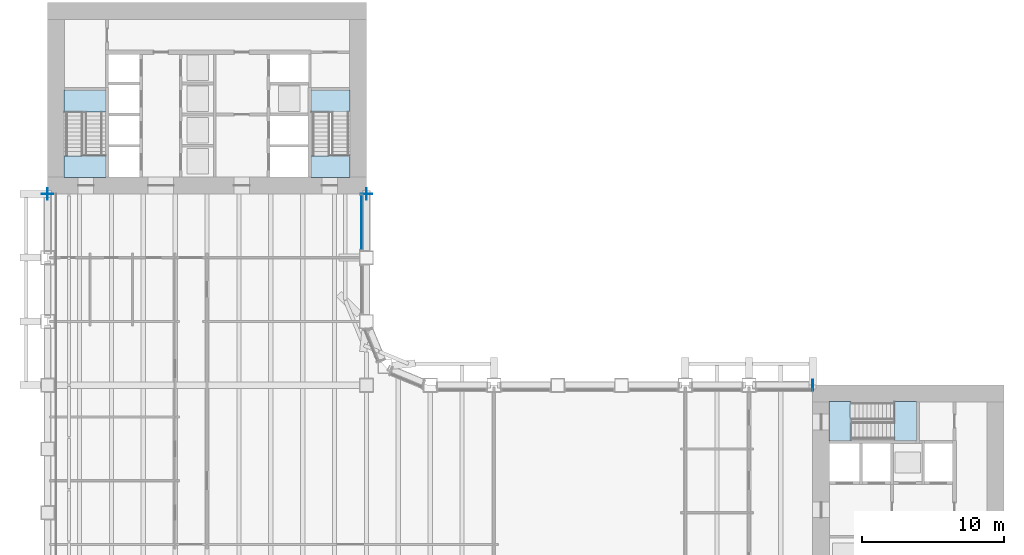
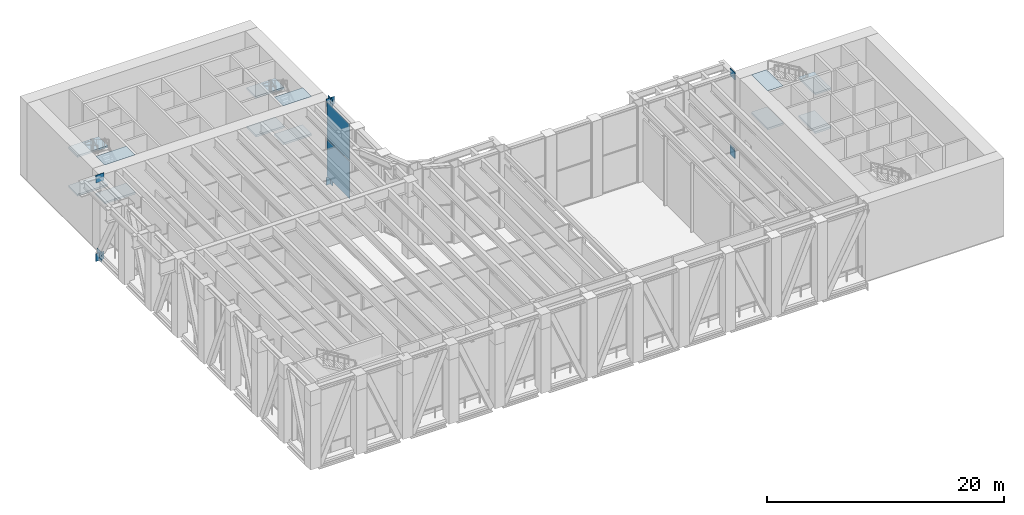
# One storey, part 7 of 21: 15 plates, 12 slabs, 4 elements without a shape of their own.
"""IFC4 building model written with IfcOpenShell, lengths in metres."""

from ifc_helpers import new_model, si_unit, direction, frame, origin, origin_2d, place, context, subcontext, project, spatial, polyline, rectangle, outline, extrude, material, layer, layer_set, type_object, element, aggregate, save


model = new_model("IFC4")

# Units and contexts
model_context = context("Model", 3, precision=1e-05, world=origin(), true_north=direction((0.0, 1.0)))
body_context = subcontext(model_context, "Body", "Model", "MODEL_VIEW")
ifc_project = project(units=[si_unit("LENGTHUNIT", "METRE"), si_unit("AREAUNIT", "SQUARE_METRE"), si_unit("VOLUMEUNIT", "CUBIC_METRE"), si_unit("PLANEANGLEUNIT", "RADIAN"), si_unit("MASSUNIT", "GRAM", prefix="KILO")], contexts=[model_context])

# Site, building, storey
site_placement = place(None, origin())
site = spatial("IfcSite", under=ifc_project, at=site_placement, CompositionType="ELEMENT")
building_placement = place(site_placement, origin())
building = spatial("IfcBuilding", under=site, at=building_placement, Name="Sennacour Bend Tower", CompositionType="ELEMENT")
storey_placement = place(building_placement, frame((0.0, 0.0, 131.0)))
storey = spatial("IfcBuildingStorey", under=building, at=storey_placement, Name="L30", CompositionType="ELEMENT", Elevation=131.0)

# Plates
ifc_material_1 = material(Name="Steel ASTM A572 Grade 50", Category="steel")
ifc_layer_1 = layer(ifc_material_1, 0.0400390625, Name="Steel ASTM A572 Grade 50", Category="steel")
ifc_layer_set_1 = layer_set([ifc_layer_1], Name="Steel ASTM A572 Grade 50")
plate_type_1 = type_object("IfcPlateType", Name="Cast-in plate 40", PredefinedType="USERDEFINED", material=ifc_layer_set_1)
plate_1_placement = place(storey_placement, frame((0.0, 36.0, -0.87744140625), z_axis=(0.0, 0.0, 1.0), x_axis=(1.0, 0.0, 0.0)))
element("IfcPlate", 1, at=plate_1_placement, inside=storey, type_object=plate_type_1, Name="Cast-in plate CP 40", ObjectType="CAST-IN PLATE", PredefinedType="USERDEFINED", context=body_context, shape_type="SweptSolid", body=[
    extrude(rectangle(XDim=0.800048828125, YDim=0.0400390625, at=origin_2d()), origin(), (0.0, 0.0, 1.0), 0.800048828125),
])
plate_2_placement = place(storey_placement, frame((-0.02001953125, 36.0, -0.87744140625), z_axis=(0.0, 0.0, 1.0), x_axis=(1.0, 0.0, 0.0)))
element("IfcPlate", 2, at=plate_2_placement, inside=storey, type_object=plate_type_1, Name="Cast-in plate CP BC 40", ObjectType="CAST-IN PLATE", PredefinedType="USERDEFINED", context=body_context, shape_type="SweptSolid", body=[
    extrude(rectangle(XDim=0.0400390625, YDim=0.800048828125, at=origin_2d()), origin(), (0.0, 0.0, 1.0), 0.800048828125),
])
plate_3_placement = place(storey_placement, frame((22.5, 36.0, -0.87744140625), z_axis=(0.0, 0.0, 1.0), x_axis=(1.0, 0.0, 0.0)))
element("IfcPlate", 3, at=plate_3_placement, inside=storey, type_object=plate_type_1, Name="Cast-in plate CP 40", ObjectType="CAST-IN PLATE", PredefinedType="USERDEFINED", context=body_context, shape_type="SweptSolid", body=[
    extrude(rectangle(XDim=0.800048828125, YDim=0.0400390625, at=origin_2d()), origin(), (0.0, 0.0, 1.0), 0.800048828125),
])
for number, where, z_axis, x_axis, name in (
    (4, (22.52001953125, 36.0, -0.87744140625), (0.0, 0.0, 1.0), (1.0, 0.0, 0.0), "Cast-in plate CP BC 40"),
    (5, (54.0, 22.5, -0.87744140625), (0.0, 0.0, 1.0), (1.0, 0.0, 0.0), "Cast-in plate CP 40"),
    (6, (53.97998046875, 22.5, -0.87744140625), (0.0, 0.0, 1.0), (1.0, 0.0, 0.0), "Cast-in plate CP BC 40"),
):
    element("IfcPlate", number, at=place(storey_placement, frame(where, z_axis=z_axis, x_axis=x_axis)), inside=storey, type_object=plate_type_1, Name=name, ObjectType="CAST-IN PLATE", PredefinedType="USERDEFINED", context=body_context, shape_type="SweptSolid", body=[
        extrude(rectangle(XDim=0.0400390625, YDim=0.800048828125, at=origin_2d()), origin(), (0.0, 0.0, 1.0), 0.800048828125),
    ])
for number, where, z_axis, x_axis, name in (
    (7, (0.0, 36.0, 7.22265625), (0.0, 0.0, 1.0), (1.0, 0.0, 0.0), "Cast-in plate CP 40"),
    (8, (22.5, 36.0, 7.22265625), (0.0, 0.0, 1.0), (1.0, 0.0, 0.0), "Cast-in plate CP 40"),
):
    element("IfcPlate", number, at=place(storey_placement, frame(where, z_axis=z_axis, x_axis=x_axis)), inside=storey, type_object=plate_type_1, Name=name, ObjectType="CAST-IN PLATE", PredefinedType="USERDEFINED", context=body_context, shape_type="SweptSolid", body=[
        extrude(rectangle(XDim=0.800048828125, YDim=0.0400390625, at=origin_2d()), origin(), (0.0, 0.0, 1.0), 0.800048828125),
    ])
for number, where, z_axis, x_axis, name in (
    (9, (22.52001953125, 36.0, 7.22265625), (0.0, 0.0, 1.0), (1.0, 0.0, 0.0), "Cast-in plate CP BC 40"),
    (10, (54.0, 22.5, 7.22265625), (0.0, 0.0, 1.0), (1.0, 0.0, 0.0), "Cast-in plate CP 40"),
    (11, (53.97998046875, 22.5, -0.64990234375), (0.0, 0.0, 1.0), (1.0, 0.0, 0.0), "Cast-in plate CP OTD 40"),
    (12, (-0.02001953125, 36.0, -0.64990234375), (0.0, 0.0, 1.0), (1.0, 0.0, 0.0), "Cast-in plate CP OTD 40"),
    (13, (22.52001953125, 36.0, 6.9951171875), (0.0, 0.0, 1.0), (1.0, 0.0, 0.0), "Cast-in plate CP OTD 40"),
):
    element("IfcPlate", number, at=place(storey_placement, frame(where, z_axis=z_axis, x_axis=x_axis)), inside=storey, type_object=plate_type_1, Name=name, ObjectType="CAST-IN PLATE", PredefinedType="USERDEFINED", context=body_context, shape_type="SweptSolid", body=[
        extrude(rectangle(XDim=0.0400390625, YDim=0.800048828125, at=origin_2d()), origin(), (0.0, 0.0, 1.0), 0.800048828125),
    ])

# Curtain wall, plates
ifc_material_2 = material(Name="Bronze anodised aluminium curtain wall with clear glass", Category="aluminium")
curtain_wall_type = type_object("IfcCurtainWallType", Name="CURTAIN WALL GARDEN", PredefinedType="NOTDEFINED", material=ifc_material_2)
curtain_wall_placement = place(storey_placement, origin())
curtain_wall = element("IfcCurtainWall", 14, at=curtain_wall_placement, inside=storey, type_object=curtain_wall_type, Name="Sky garden glass wall L30", PredefinedType="NOTDEFINED")
ifc_material_3 = material(Name="Laminated clear low-emissivity glass", Category="glass")
ifc_layer_2 = layer(ifc_material_3, 0.035888671875, Name="Laminated clear low-emissivity glass", Category="glass")
ifc_layer_set_2 = layer_set([ifc_layer_2], Name="Laminated clear low-emissivity glass")
plate_type_2 = type_object("IfcPlateType", Name="PNL-GLASS-LAM36", PredefinedType="CURTAIN_PANEL", material=ifc_layer_set_2)
plate_4_placement = place(storey_placement, frame((22.156005859375, 33.99951171875, 0.080078125), z_axis=(0.0, 0.0, 1.0), x_axis=(0.0, -1.0, 0.0)))
plate_4 = element("IfcPlate", 15, at=plate_4_placement, type_object=plate_type_2, Name="GW6 curtain wall panel 1.1", PredefinedType="CURTAIN_PANEL", context=body_context, shape_type="SweptSolid", body=[
    extrude(rectangle(XDim=3.839111328125, YDim=0.035888671875, at=origin_2d()), origin(), (0.0, 0.0, 1.0), 3.804931640625),
])
plate_5_placement = place(storey_placement, frame((22.156005859375, 33.99951171875, 3.96484375), z_axis=(0.0, 0.0, 1.0), x_axis=(0.0, -1.0, 0.0)))
plate_5 = element("IfcPlate", 16, at=plate_5_placement, type_object=plate_type_2, Name="GW6 curtain wall panel 1.2", PredefinedType="CURTAIN_PANEL", context=body_context, shape_type="SweptSolid", body=[
    extrude(rectangle(XDim=3.839111328125, YDim=0.035888671875, at=origin_2d()), origin(), (0.0, 0.0, 1.0), 3.804931640625),
])
aggregate(curtain_wall, [plate_4, plate_5])

# Slabs
ifc_material_4 = material(Name="Concrete C40/50", Category="concrete")
ifc_layer_3 = layer(ifc_material_4, 0.034912109375, Name="Concrete C40/50", Category="concrete")
ifc_layer_set_3 = layer_set([ifc_layer_3], Name="Concrete C40/50")
slab_type_1 = type_object("IfcSlabType", Name="Stair arrival nib 35", PredefinedType="FLOOR", material=ifc_layer_set_3)
slab_1_placement = place(storey_placement, frame((0.0, 0.0, 7.815185546875)))
element("IfcSlab", 17, at=slab_1_placement, inside=storey, type_object=slab_type_1, Name="L30 SA2 stair arrival nib", PredefinedType="FLOOR", context=body_context, shape_type="SweptSolid", body=[
    extrude(outline(polyline([(56.64208984375, 21.35009765625), (55.14990234375, 21.35009765625), (55.14990234375, 18.574951171875), (56.64208984375, 18.574951171875), (56.64208984375, 21.35009765625)])), origin(), (0.0, 0.0, 1.0), 0.034912109375),
])
slab_2_placement = place(storey_placement, frame((0.0, 0.0, 7.815185546875)))
element("IfcSlab", 18, at=slab_2_placement, inside=storey, type_object=slab_type_1, Name="L30 SB1 stair arrival nib", PredefinedType="FLOOR", context=body_context, shape_type="SweptSolid", body=[
    extrude(outline(polyline([(1.14990234375, 38.64208984375), (1.14990234375, 37.14990234375), (4.125, 37.14990234375), (4.125, 38.64208984375), (1.14990234375, 38.64208984375)])), origin(), (0.0, 0.0, 1.0), 0.034912109375),
])
slab_3_placement = place(storey_placement, frame((0.0, 0.0, 7.815185546875)))
element("IfcSlab", 19, at=slab_3_placement, inside=storey, type_object=slab_type_1, Name="L30 SB2 stair arrival nib", PredefinedType="FLOOR", context=body_context, shape_type="SweptSolid", body=[
    extrude(outline(polyline([(18.574951171875, 38.64208984375), (18.574951171875, 37.14990234375), (21.35009765625, 37.14990234375), (21.35009765625, 38.64208984375), (18.574951171875, 38.64208984375)])), origin(), (0.0, 0.0, 1.0), 0.034912109375),
])

# Stair, slabs
stair_type = type_object("IfcStairType", Name="ST-DOGLEG", PredefinedType="HALF_TURN_STAIR", material=ifc_material_4)
stair_1_placement = place(storey_placement, origin())
stair_1 = element("IfcStair", 20, at=stair_1_placement, inside=storey, type_object=stair_type, Name="L30 Exit stair A2", PredefinedType="HALF_TURN_STAIR")
ifc_layer_4 = layer(ifc_material_4, 0.199951171875, Name="Concrete C40/50", Category="concrete")
ifc_layer_set_4 = layer_set([ifc_layer_4], Name="Concrete C40/50")
slab_type_2 = type_object("IfcSlabType", Name="Stair landing 200", PredefinedType="LANDING", material=ifc_layer_set_4)
slab_4_placement = place(storey_placement, frame((0.0, 0.0, 1.800048828125)))
slab_4 = element("IfcSlab", 21, at=slab_4_placement, type_object=slab_type_2, Name="SA2 landing 1", PredefinedType="LANDING", context=body_context, shape_type="SweptSolid", body=[
    extrude(outline(polyline([(59.780029296875, 18.574951171875), (61.324951171875, 18.574951171875), (61.324951171875, 21.35009765625), (59.780029296875, 21.35009765625), (59.780029296875, 18.574951171875)])), origin(), (0.0, 0.0, 1.0), 0.199951171875),
])
slab_5_placement = place(storey_placement, frame((0.0, 0.0, 3.800048828125)))
slab_5 = element("IfcSlab", 22, at=slab_5_placement, type_object=slab_type_2, Name="SA2 landing 2", PredefinedType="LANDING", context=body_context, shape_type="SweptSolid", body=[
    extrude(outline(polyline([(55.14990234375, 18.574951171875), (56.699951171875, 18.574951171875), (56.699951171875, 21.35009765625), (55.14990234375, 21.35009765625), (55.14990234375, 18.574951171875)])), origin(), (0.0, 0.0, 1.0), 0.199951171875),
])
slab_6_placement = place(storey_placement, frame((0.0, 0.0, 5.800048828125)))
slab_6 = element("IfcSlab", 23, at=slab_6_placement, type_object=slab_type_2, Name="SA2 landing 3", PredefinedType="LANDING", context=body_context, shape_type="SweptSolid", body=[
    extrude(outline(polyline([(59.780029296875, 18.574951171875), (61.324951171875, 18.574951171875), (61.324951171875, 21.35009765625), (59.780029296875, 21.35009765625), (59.780029296875, 18.574951171875)])), origin(), (0.0, 0.0, 1.0), 0.199951171875),
])
aggregate(stair_1, [slab_4, slab_5, slab_6])

stair_2_placement = place(storey_placement, origin())
stair_2 = element("IfcStair", 24, at=stair_2_placement, inside=storey, type_object=stair_type, Name="L30 Exit stair B1", PredefinedType="HALF_TURN_STAIR")
slab_7_placement = place(storey_placement, frame((0.0, 0.0, 1.800048828125)))
slab_7 = element("IfcSlab", 25, at=slab_7_placement, type_object=slab_type_2, Name="SB1 landing 1", PredefinedType="LANDING", context=body_context, shape_type="SweptSolid", body=[
    extrude(outline(polyline([(1.14990234375, 41.780029296875), (4.125, 41.780029296875), (4.125, 43.324951171875), (1.14990234375, 43.324951171875), (1.14990234375, 41.780029296875)])), origin(), (0.0, 0.0, 1.0), 0.199951171875),
])
slab_8_placement = place(storey_placement, frame((0.0, 0.0, 3.800048828125)))
slab_8 = element("IfcSlab", 26, at=slab_8_placement, type_object=slab_type_2, Name="SB1 landing 2", PredefinedType="LANDING", context=body_context, shape_type="SweptSolid", body=[
    extrude(outline(polyline([(1.14990234375, 37.14990234375), (4.125, 37.14990234375), (4.125, 38.699951171875), (1.14990234375, 38.699951171875), (1.14990234375, 37.14990234375)])), origin(), (0.0, 0.0, 1.0), 0.199951171875),
])
slab_9_placement = place(storey_placement, frame((0.0, 0.0, 5.800048828125)))
slab_9 = element("IfcSlab", 27, at=slab_9_placement, type_object=slab_type_2, Name="SB1 landing 3", PredefinedType="LANDING", context=body_context, shape_type="SweptSolid", body=[
    extrude(outline(polyline([(1.14990234375, 41.780029296875), (4.125, 41.780029296875), (4.125, 43.324951171875), (1.14990234375, 43.324951171875), (1.14990234375, 41.780029296875)])), origin(), (0.0, 0.0, 1.0), 0.199951171875),
])
aggregate(stair_2, [slab_7, slab_8, slab_9])

stair_3_placement = place(storey_placement, origin())
stair_3 = element("IfcStair", 28, at=stair_3_placement, inside=storey, type_object=stair_type, Name="L30 Exit stair B2", PredefinedType="HALF_TURN_STAIR")
slab_10_placement = place(storey_placement, frame((0.0, 0.0, 1.800048828125)))
slab_10 = element("IfcSlab", 29, at=slab_10_placement, type_object=slab_type_2, Name="SB2 landing 1", PredefinedType="LANDING", context=body_context, shape_type="SweptSolid", body=[
    extrude(outline(polyline([(18.574951171875, 41.780029296875), (21.35009765625, 41.780029296875), (21.35009765625, 43.324951171875), (18.574951171875, 43.324951171875), (18.574951171875, 41.780029296875)])), origin(), (0.0, 0.0, 1.0), 0.199951171875),
])
slab_11_placement = place(storey_placement, frame((0.0, 0.0, 3.800048828125)))
slab_11 = element("IfcSlab", 30, at=slab_11_placement, type_object=slab_type_2, Name="SB2 landing 2", PredefinedType="LANDING", context=body_context, shape_type="SweptSolid", body=[
    extrude(outline(polyline([(18.574951171875, 37.14990234375), (21.35009765625, 37.14990234375), (21.35009765625, 38.699951171875), (18.574951171875, 38.699951171875), (18.574951171875, 37.14990234375)])), origin(), (0.0, 0.0, 1.0), 0.199951171875),
])
slab_12_placement = place(storey_placement, frame((0.0, 0.0, 5.800048828125)))
slab_12 = element("IfcSlab", 31, at=slab_12_placement, type_object=slab_type_2, Name="SB2 landing 3", PredefinedType="LANDING", context=body_context, shape_type="SweptSolid", body=[
    extrude(outline(polyline([(18.574951171875, 41.780029296875), (21.35009765625, 41.780029296875), (21.35009765625, 43.324951171875), (18.574951171875, 43.324951171875), (18.574951171875, 41.780029296875)])), origin(), (0.0, 0.0, 1.0), 0.199951171875),
])
aggregate(stair_3, [slab_10, slab_11, slab_12])

save(model, "model.ifc")
